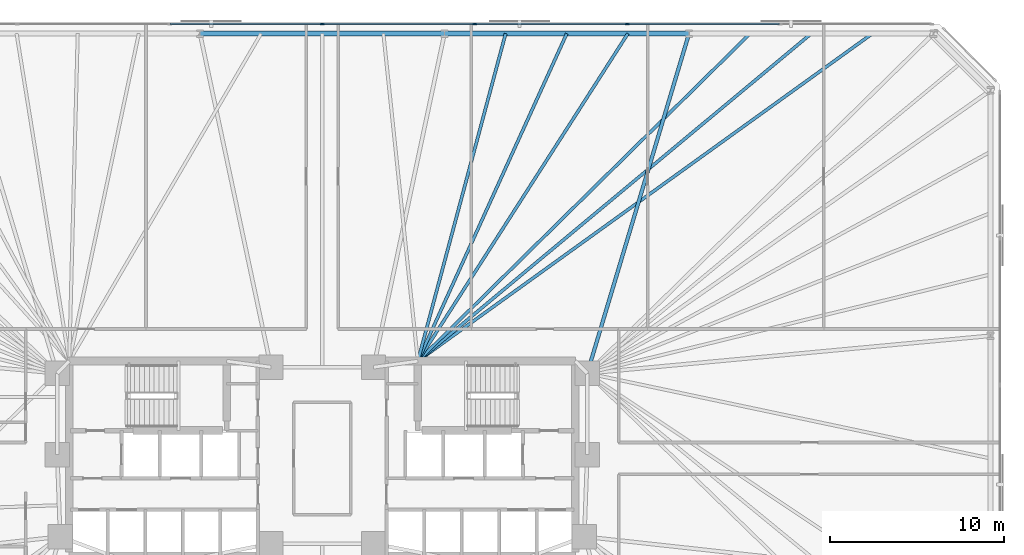
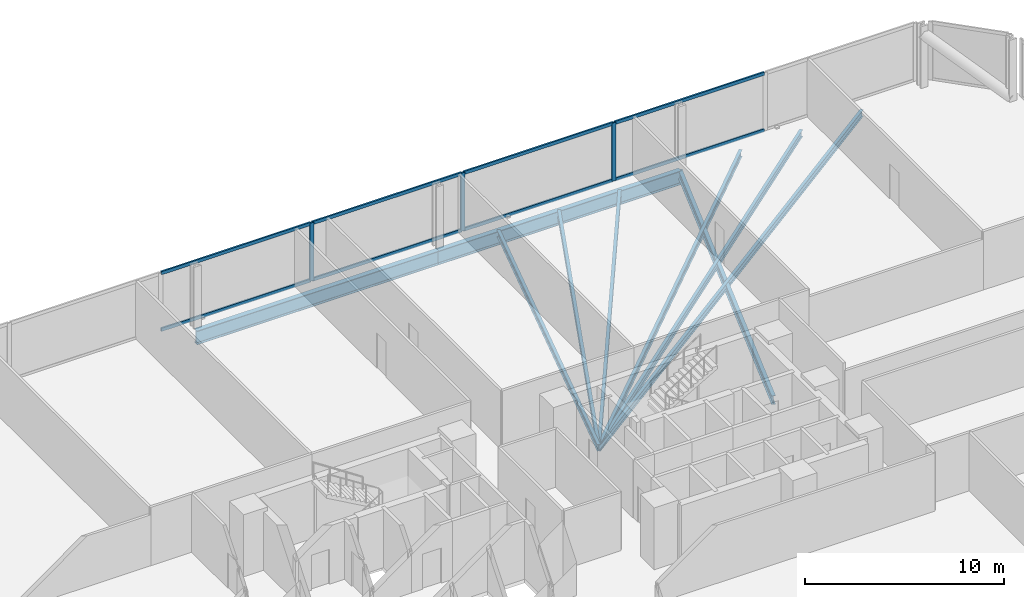
# One storey, part 9 of 16: 11 members, 9 beams, 1 element without a shape of its own.
"""IFC4 building model written with IfcOpenShell, lengths in metres."""

from ifc_helpers import new_model, si_unit, direction, frame, origin, origin_2d, place, context, subcontext, project, spatial, rectangle, i_section, extrude, material, material_profile, profile_set, type_object, element, aggregate, save


model = new_model("IFC4")

# Units and contexts
model_context = context("Model", 3, precision=1e-05, world=origin(), true_north=direction((0.0, 1.0)))
body_context = subcontext(model_context, "Body", "Model", "MODEL_VIEW")
ifc_project = project(units=[si_unit("LENGTHUNIT", "METRE"), si_unit("AREAUNIT", "SQUARE_METRE"), si_unit("VOLUMEUNIT", "CUBIC_METRE"), si_unit("PLANEANGLEUNIT", "RADIAN"), si_unit("MASSUNIT", "GRAM", prefix="KILO")], contexts=[model_context])

# Site, building, storey
site_placement = place(None, origin())
site = spatial("IfcSite", under=ifc_project, at=site_placement, CompositionType="ELEMENT")
building_placement = place(site_placement, origin())
building = spatial("IfcBuilding", under=site, at=building_placement, Name="Menara Jurai Vektor", CompositionType="ELEMENT")
storey_placement = place(building_placement, frame((0.0, 0.0, 59.800048828125)))
storey = spatial("IfcBuildingStorey", under=building, at=storey_placement, Name="L14", CompositionType="ELEMENT", Elevation=59.800048828125)

# Curtain wall, members
ifc_material_1 = material(Name="Anodised Pale Aluminium & Low-E Double Glazing", Category="aluminium")
curtain_wall_type = type_object("IfcCurtainWallType", Name="CW-BLK1", PredefinedType="NOTDEFINED", material=ifc_material_1)
curtain_wall_placement = place(storey_placement, origin())
curtain_wall = element("IfcCurtainWall", 1, at=curtain_wall_placement, inside=storey, type_object=curtain_wall_type, Name="Unitised Curtain Wall L14 F05", PredefinedType="NOTDEFINED")
ifc_material_2 = material(Name="Anodised Pale Aluminium Mullion", Category="aluminium")
ifc_material_profile_1 = material_profile(ifc_material_2, rectangle(XDim=0.094970703125, YDim=0.239990234375, at=origin_2d()), Name="ALU MUL 95x240")
ifc_profile_set_1 = profile_set([ifc_material_profile_1], Name="Anodised Pale Aluminium Mullion")
member_type_1 = type_object("IfcMemberType", Name="CW-BLK1-MUL", PredefinedType="MULLION", material=ifc_profile_set_1)
member_1_placement = place(storey_placement, frame((17.56005859375, 25.0, 0.0), z_axis=(0.0, 0.0, 1.0), x_axis=(0.0, -1.0, 0.0)))
member_1 = element("IfcMember", 2, at=member_1_placement, type_object=member_type_1, Name="CW-01 mullion 3", PredefinedType="MULLION", context=body_context, shape_type="SweptSolid", body=[
    extrude(rectangle(XDim=0.094970703125, YDim=0.239990234375, at=origin_2d()), origin(), (0.0, 0.0, 1.0), 3.574951171875),
])
member_2_placement = place(storey_placement, frame((8.780029296875, 25.0, 0.0), z_axis=(0.0, 0.0, 1.0), x_axis=(0.0, -1.0, 0.0)))
member_2 = element("IfcMember", 3, at=member_2_placement, type_object=member_type_1, Name="CW-01 mullion 4", PredefinedType="MULLION", context=body_context, shape_type="SweptSolid", body=[
    extrude(rectangle(XDim=0.094970703125, YDim=0.239990234375, at=origin_2d()), origin(), (0.0, 0.0, 1.0), 3.574951171875),
])
member_3_placement = place(storey_placement, frame((0.0, 25.0, 0.0), z_axis=(0.0, 0.0, 1.0), x_axis=(0.0, -1.0, 0.0)))
member_3 = element("IfcMember", 4, at=member_3_placement, type_object=member_type_1, Name="CW-01 mullion 5", PredefinedType="MULLION", context=body_context, shape_type="SweptSolid", body=[
    extrude(rectangle(XDim=0.094970703125, YDim=0.239990234375, at=origin_2d()), origin(), (0.0, 0.0, 1.0), 3.574951171875),
])
ifc_material_3 = material(Name="Anodised Pale Aluminium Transom", Category="aluminium")
ifc_material_profile_2 = material_profile(ifc_material_3, rectangle(XDim=0.094970703125, YDim=0.199951171875, at=origin_2d()), Name="ALU TRN 95x200")
ifc_profile_set_2 = profile_set([ifc_material_profile_2], Name="Anodised Pale Aluminium Transom")
member_type_2 = type_object("IfcMemberType", Name="CW-BLK1-TRN", PredefinedType="USERDEFINED", material=ifc_profile_set_2)
member_4_placement = place(storey_placement, frame((26.29248046875, 25.0, 0.04736328125), z_axis=(-1.0, 0.0, 0.0), x_axis=(0.0, -1.0, 0.0)))
member_4 = element("IfcMember", 5, at=member_4_placement, type_object=member_type_2, Name="CW-01 transom 2.1", ObjectType="TRANSOM", PredefinedType="USERDEFINED", context=body_context, shape_type="SweptSolid", body=[
    extrude(rectangle(XDim=0.094970703125, YDim=0.199951171875, at=origin_2d()), origin(), (0.0, 0.0, 1.0), 8.68505859375),
])
member_5_placement = place(storey_placement, frame((26.29248046875, 25.0, 3.52734375), z_axis=(-1.0, 0.0, 0.0), x_axis=(0.0, -1.0, 0.0)))
member_5 = element("IfcMember", 6, at=member_5_placement, type_object=member_type_2, Name="CW-01 transom 2.2", ObjectType="TRANSOM", PredefinedType="USERDEFINED", context=body_context, shape_type="SweptSolid", body=[
    extrude(rectangle(XDim=0.094970703125, YDim=0.199951171875, at=origin_2d()), origin(), (0.0, 0.0, 1.0), 8.68505859375),
])
member_6_placement = place(storey_placement, frame((17.512451171875, 25.0, 0.04736328125), z_axis=(-1.0, 0.0, 0.0), x_axis=(0.0, -1.0, 0.0)))
member_6 = element("IfcMember", 7, at=member_6_placement, type_object=member_type_2, Name="CW-01 transom 3.1", ObjectType="TRANSOM", PredefinedType="USERDEFINED", context=body_context, shape_type="SweptSolid", body=[
    extrude(rectangle(XDim=0.094970703125, YDim=0.199951171875, at=origin_2d()), origin(), (0.0, 0.0, 1.0), 8.68505859375),
])
member_7_placement = place(storey_placement, frame((17.512451171875, 25.0, 3.52734375), z_axis=(-1.0, 0.0, 0.0), x_axis=(0.0, -1.0, 0.0)))
member_7 = element("IfcMember", 8, at=member_7_placement, type_object=member_type_2, Name="CW-01 transom 3.2", ObjectType="TRANSOM", PredefinedType="USERDEFINED", context=body_context, shape_type="SweptSolid", body=[
    extrude(rectangle(XDim=0.094970703125, YDim=0.199951171875, at=origin_2d()), origin(), (0.0, 0.0, 1.0), 8.68505859375),
])
member_8_placement = place(storey_placement, frame((8.732421875, 25.0, 0.04736328125), z_axis=(-1.0, 0.0, 0.0), x_axis=(0.0, -1.0, 0.0)))
member_8 = element("IfcMember", 9, at=member_8_placement, type_object=member_type_2, Name="CW-01 transom 4.1", ObjectType="TRANSOM", PredefinedType="USERDEFINED", context=body_context, shape_type="SweptSolid", body=[
    extrude(rectangle(XDim=0.094970703125, YDim=0.199951171875, at=origin_2d()), origin(), (0.0, 0.0, 1.0), 8.684814453125),
])
member_9_placement = place(storey_placement, frame((8.732421875, 25.0, 3.52734375), z_axis=(-1.0, 0.0, 0.0), x_axis=(0.0, -1.0, 0.0)))
member_9 = element("IfcMember", 10, at=member_9_placement, type_object=member_type_2, Name="CW-01 transom 4.2", ObjectType="TRANSOM", PredefinedType="USERDEFINED", context=body_context, shape_type="SweptSolid", body=[
    extrude(rectangle(XDim=0.094970703125, YDim=0.199951171875, at=origin_2d()), origin(), (0.0, 0.0, 1.0), 8.684814453125),
])
member_10_placement = place(storey_placement, frame((-0.047607421875, 25.0, 0.04736328125), z_axis=(-1.0, 0.0, 0.0), x_axis=(0.0, -1.0, 0.0)))
member_10 = element("IfcMember", 11, at=member_10_placement, type_object=member_type_2, Name="CW-01 transom 5.1", ObjectType="TRANSOM", PredefinedType="USERDEFINED", context=body_context, shape_type="SweptSolid", body=[
    extrude(rectangle(XDim=0.094970703125, YDim=0.199951171875, at=origin_2d()), origin(), (0.0, 0.0, 1.0), 8.684814453125),
])
member_11_placement = place(storey_placement, frame((-0.047607421875, 25.0, 3.52734375), z_axis=(-1.0, 0.0, 0.0), x_axis=(0.0, -1.0, 0.0)))
member_11 = element("IfcMember", 12, at=member_11_placement, type_object=member_type_2, Name="CW-01 transom 5.2", ObjectType="TRANSOM", PredefinedType="USERDEFINED", context=body_context, shape_type="SweptSolid", body=[
    extrude(rectangle(XDim=0.094970703125, YDim=0.199951171875, at=origin_2d()), origin(), (0.0, 0.0, 1.0), 8.684814453125),
])
aggregate(curtain_wall, [member_1, member_2, member_3, member_4, member_5, member_6, member_7, member_8, member_9, member_10, member_11])

# Beams
ifc_material_4 = material(Name="Steel S355", Category="steel")
ifc_material_profile_3 = material_profile(ifc_material_4, i_section(OverallWidth=0.2109375, OverallDepth=0.5390625, WebThickness=0.011962890625, FlangeThickness=0.01904296875, FilletRadius=0.012939453125, at=origin_2d()), Name="UKB 533x210x109")
ifc_profile_set_3 = profile_set([ifc_material_profile_3], Name="Steel S355")
beam_type_1 = type_object("IfcBeamType", Name="STR-BM-533", PredefinedType="BEAM", material=ifc_profile_set_3)
beam_1_placement = place(storey_placement, frame((21.106689453125, 24.449951171875, -0.49462890625), z_axis=(-0.286973617166, -0.957938486047, 0.0), x_axis=(0.957938486047, -0.286973617166, 0.0)))
element("IfcBeam", 13, at=beam_1_placement, inside=storey, type_object=beam_type_1, Name="Radial Floor Girder L14-N2", PredefinedType="BEAM", context=body_context, shape_type="SweptSolid", body=[
    extrude(i_section(OverallWidth=0.2109375, OverallDepth=0.5390625, WebThickness=0.011962890625, FlangeThickness=0.01904296875, FilletRadius=0.012939453125, at=origin_2d()), origin(), (0.0, 0.0, 1.0), 20.408447265625),
])
ifc_material_profile_4 = material_profile(ifc_material_4, i_section(OverallWidth=0.178955078125, OverallDepth=0.408935546875, WebThickness=0.009033203125, FlangeThickness=0.013916015625, FilletRadius=0.010009765625, at=origin_2d()), Name="UKB 406x178x67")
ifc_profile_set_4 = profile_set([ifc_material_profile_4], Name="Steel S355")
beam_type_2 = type_object("IfcBeamType", Name="STR-JS-406", PredefinedType="JOIST", material=ifc_profile_set_4)
beam_2_placement = place(storey_placement, frame((31.659912109375, 24.449951171875, -0.429443359375), z_axis=(-0.81131785733, -0.584605280833, 0.0), x_axis=(0.584605280833, -0.81131785733, 0.0)))
element("IfcBeam", 14, at=beam_2_placement, inside=storey, type_object=beam_type_2, Name="Radial Secondary Floor Joist L14-JS16", PredefinedType="JOIST", context=body_context, shape_type="SweptSolid", body=[
    extrude(i_section(OverallWidth=0.178955078125, OverallDepth=0.408935546875, WebThickness=0.009033203125, FlangeThickness=0.013916015625, FilletRadius=0.010009765625, at=origin_2d()), origin(), (0.0, 0.0, 1.0), 32.24365234375),
])
beam_3_placement = place(storey_placement, frame((28.142333984375, 24.449951171875, -0.429443359375), z_axis=(-0.76853431665, -0.639808568347, 0.0), x_axis=(0.639808568347, -0.76853431665, 0.0)))
element("IfcBeam", 15, at=beam_3_placement, inside=storey, type_object=beam_type_2, Name="Radial Secondary Floor Joist L14-JS17", PredefinedType="JOIST", context=body_context, shape_type="SweptSolid", body=[
    extrude(i_section(OverallWidth=0.178955078125, OverallDepth=0.408935546875, WebThickness=0.009033203125, FlangeThickness=0.013916015625, FilletRadius=0.010009765625, at=origin_2d()), origin(), (0.0, 0.0, 1.0), 29.461669921875),
])
beam_4_placement = place(storey_placement, frame((24.62451171875, 24.449951171875, -0.429443359375), z_axis=(-0.712202462998, -0.70197411042, 0.0), x_axis=(0.70197411042, -0.712202462998, 0.0)))
element("IfcBeam", 16, at=beam_4_placement, inside=storey, type_object=beam_type_2, Name="Radial Secondary Floor Joist L14-JS18", PredefinedType="JOIST", context=body_context, shape_type="SweptSolid", body=[
    extrude(i_section(OverallWidth=0.178955078125, OverallDepth=0.408935546875, WebThickness=0.009033203125, FlangeThickness=0.013916015625, FilletRadius=0.010009765625, at=origin_2d()), origin(), (0.0, 0.0, 1.0), 26.8525390625),
])
beam_5_placement = place(storey_placement, frame((17.5888671875, 24.449951171875, -0.429443359375), z_axis=(-0.53984422461, -0.841764939372, 0.0), x_axis=(0.841764939372, -0.53984422461, 0.0)))
element("IfcBeam", 17, at=beam_5_placement, inside=storey, type_object=beam_type_2, Name="Radial Secondary Floor Joist L14-JS19", PredefinedType="JOIST", context=body_context, shape_type="SweptSolid", body=[
    extrude(i_section(OverallWidth=0.178955078125, OverallDepth=0.408935546875, WebThickness=0.009033203125, FlangeThickness=0.013916015625, FilletRadius=0.010009765625, at=origin_2d()), origin(), (0.0, 0.0, 1.0), 22.393310546875),
])
beam_6_placement = place(storey_placement, frame((14.071044921875, 24.449951171875, -0.429443359375), z_axis=(-0.413920197297, -0.910313171535, 0.0), x_axis=(0.910313171535, -0.413920197297, 0.0)))
element("IfcBeam", 18, at=beam_6_placement, inside=storey, type_object=beam_type_2, Name="Radial Secondary Floor Joist L14-JS20", PredefinedType="JOIST", context=body_context, shape_type="SweptSolid", body=[
    extrude(i_section(OverallWidth=0.178955078125, OverallDepth=0.408935546875, WebThickness=0.009033203125, FlangeThickness=0.013916015625, FilletRadius=0.010009765625, at=origin_2d()), origin(), (0.0, 0.0, 1.0), 20.70703125),
])
beam_7_placement = place(storey_placement, frame((10.55322265625, 24.449951171875, -0.429443359375), z_axis=(-0.258934723238, -0.965894823002, 0.0), x_axis=(0.965894823002, -0.258934723238, 0.0)))
element("IfcBeam", 19, at=beam_7_placement, inside=storey, type_object=beam_type_2, Name="Radial Secondary Floor Joist L14-JS21", PredefinedType="JOIST", context=body_context, shape_type="SweptSolid", body=[
    extrude(i_section(OverallWidth=0.178955078125, OverallDepth=0.408935546875, WebThickness=0.009033203125, FlangeThickness=0.013916015625, FilletRadius=0.010009765625, at=origin_2d()), origin(), (0.0, 0.0, 1.0), 19.515380859375),
])
ifc_material_5 = material(Name="Steel S460", Category="steel")
ifc_material_profile_5 = material_profile(ifc_material_5, i_section(OverallWidth=0.2939453125, OverallDepth=0.85107421875, WebThickness=0.01611328125, FlangeThickness=0.027099609375, FilletRadius=0.01806640625, at=origin_2d()), Name="UKB 838x292x226")
ifc_profile_set_5 = profile_set([ifc_material_profile_5], Name="Steel S460")
beam_type_3 = type_object("IfcBeamType", Name="STR-SP-838", PredefinedType="SPANDREL", material=ifc_profile_set_5)
beam_8_placement = place(storey_placement, frame((21.106689453125, 24.449951171875, -0.650634765625), z_axis=(-1.0, 0.0, 0.0), x_axis=(0.0, -1.0, 0.0)))
element("IfcBeam", 20, at=beam_8_placement, inside=storey, type_object=beam_type_3, Name="Exoskeleton Spandrel Beam L14-12", PredefinedType="SPANDREL", context=body_context, shape_type="SweptSolid", body=[
    extrude(i_section(OverallWidth=0.2939453125, OverallDepth=0.85107421875, WebThickness=0.01611328125, FlangeThickness=0.027099609375, FilletRadius=0.01806640625, at=origin_2d()), origin(), (0.0, 0.0, 1.0), 14.071044921875),
])
beam_9_placement = place(storey_placement, frame((7.03564453125, 24.449951171875, -0.650634765625), z_axis=(-1.0, 0.0, 0.0), x_axis=(0.0, -1.0, 0.0)))
element("IfcBeam", 21, at=beam_9_placement, inside=storey, type_object=beam_type_3, Name="Exoskeleton Spandrel Beam L14-13", PredefinedType="SPANDREL", context=body_context, shape_type="SweptSolid", body=[
    extrude(i_section(OverallWidth=0.2939453125, OverallDepth=0.85107421875, WebThickness=0.01611328125, FlangeThickness=0.027099609375, FilletRadius=0.01806640625, at=origin_2d()), origin(), (0.0, 0.0, 1.0), 14.0712890625),
])

save(model, "model.ifc")
